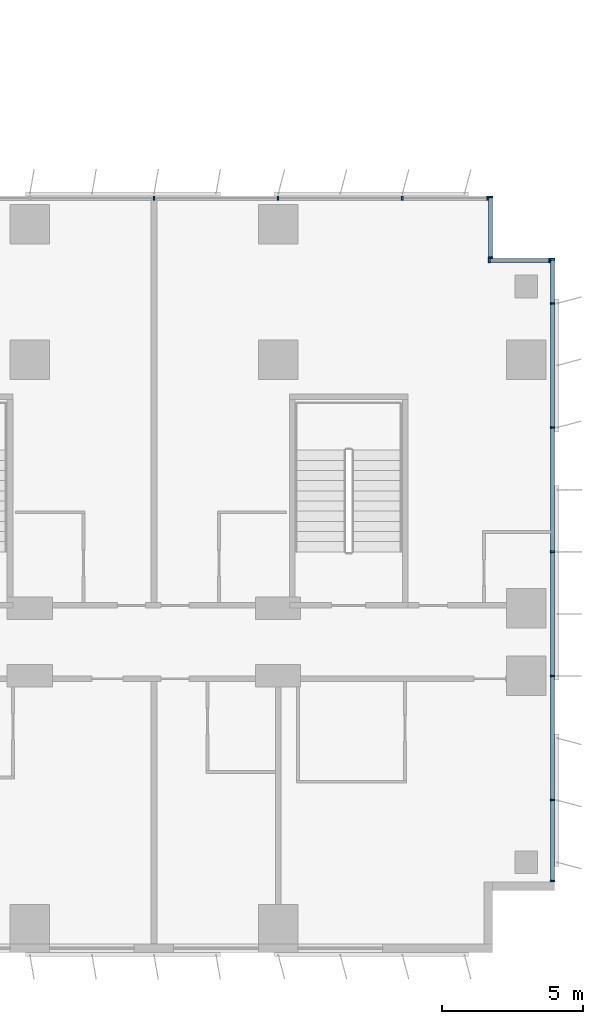
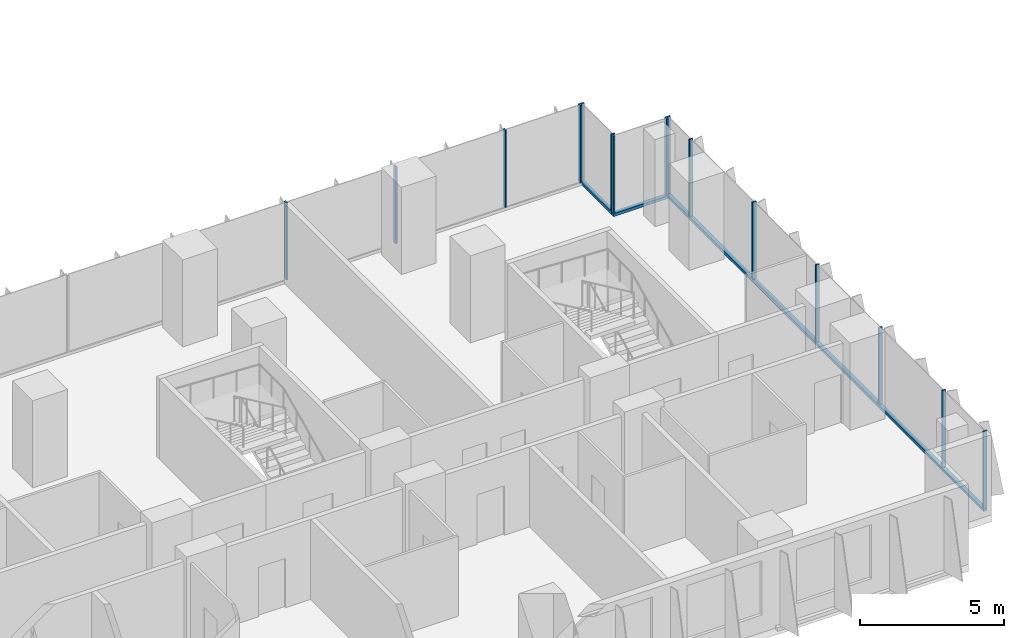
# One storey, part 8 of 24: 18 members, 4 elements without a shape of their own.
"""IFC4 building model written with IfcOpenShell, lengths in metres."""

from ifc_helpers import new_model, si_unit, direction, frame, origin, origin_2d, place, context, subcontext, project, spatial, rectangle, extrude, source, transform, mapped, material, material_profile, profile_set, type_object, element, aggregate, save


model = new_model("IFC4")

# Units and contexts
model_context = context("Model", 3, precision=1e-05, world=origin(), true_north=direction((0.0, 1.0)))
body_context = subcontext(model_context, "Body", "Model", "MODEL_VIEW")
ifc_project = project(units=[si_unit("LENGTHUNIT", "METRE"), si_unit("AREAUNIT", "SQUARE_METRE"), si_unit("VOLUMEUNIT", "CUBIC_METRE"), si_unit("PLANEANGLEUNIT", "RADIAN"), si_unit("MASSUNIT", "GRAM", prefix="KILO")], contexts=[model_context])

# Site, building, storey
site_placement = place(None, origin())
site = spatial("IfcSite", under=ifc_project, at=site_placement, CompositionType="ELEMENT")
building_placement = place(site_placement, origin())
building = spatial("IfcBuilding", under=site, at=building_placement, Name="Kemantara Hotel Tower", CompositionType="ELEMENT")
storey_placement = place(building_placement, frame((0.0, 0.0, 56.199951171875)))
storey = spatial("IfcBuildingStorey", under=building, at=storey_placement, Name="L12", CompositionType="ELEMENT", Elevation=56.199951171875)

# Curtain wall, member
ifc_material_1 = material(Name="Low-E tinted double insulated glass 36 mm", Category="glass")
curtain_wall_type = type_object("IfcCurtainWallType", Name="TOWER CURTAIN WALL, FRONT FACES", PredefinedType="USERDEFINED", material=ifc_material_1)
curtain_wall_1_placement = place(storey_placement, origin())
curtain_wall_1 = element("IfcCurtainWall", 1, at=curtain_wall_1_placement, inside=storey, type_object=curtain_wall_type, Name="CW4 L12 T1-R04-1", ObjectType="TOWER CURTAIN WALL, FRONT FACES", PredefinedType="USERDEFINED")
ifc_material_2 = material(Name="Aluminium 6063-T6 bronze anodised", Category="aluminium")
ifc_material_profile_1 = material_profile(ifc_material_2, rectangle(XDim=0.14990234375, YDim=0.1201171875, at=origin_2d()), Name="TOWER CURTAIN WALL, FRONT FACES TRANSOM")
ifc_profile_set_1 = profile_set([ifc_material_profile_1], Name="Aluminium 6063-T6 bronze anodised")
member_type_1 = type_object("IfcMemberType", Name="TOWER CURTAIN WALL, FRONT FACES TRANSOM", PredefinedType="USERDEFINED", material=ifc_profile_set_1)
member_1_placement = place(storey_placement, frame((81.125, 2.5, 0.06005859375), z_axis=(0.0, 1.0, 0.0), x_axis=(-1.0, 0.0, 0.0)))
member_1 = element("IfcMember", 2, at=member_1_placement, type_object=member_type_1, Name="CW4 sill transom T1-R04-1", ObjectType="TRANSOM", PredefinedType="USERDEFINED", context=body_context, shape_type="SweptSolid", body=[
    extrude(rectangle(XDim=0.14990234375, YDim=0.1201171875, at=origin_2d()), origin(), (0.0, 0.0, 1.0), 22.10009765625),
])

curtain_wall_2_placement = place(storey_placement, origin())
curtain_wall_2 = element("IfcCurtainWall", 3, at=curtain_wall_2_placement, inside=storey, type_object=curtain_wall_type, Name="CW4 L12 T1-R05-1", ObjectType="TOWER CURTAIN WALL, FRONT FACES", PredefinedType="USERDEFINED")
member_2_placement = place(storey_placement, frame((81.050048828125, 24.52490234375, 0.06005859375), z_axis=(-1.0, 0.0, 0.0), x_axis=(0.0, -1.0, 0.0)))
member_2 = element("IfcMember", 4, at=member_2_placement, type_object=member_type_1, Name="CW4 sill transom T1-R05-1", ObjectType="TRANSOM", PredefinedType="USERDEFINED", context=body_context, shape_type="SweptSolid", body=[
    extrude(rectangle(XDim=0.14990234375, YDim=0.1201171875, at=origin_2d()), origin(), (0.0, 0.0, 1.0), 2.199951171875),
])

curtain_wall_3_placement = place(storey_placement, origin())
curtain_wall_3 = element("IfcCurtainWall", 5, at=curtain_wall_3_placement, inside=storey, type_object=curtain_wall_type, Name="CW4 L12 T1-R06-1", ObjectType="TOWER CURTAIN WALL, FRONT FACES", PredefinedType="USERDEFINED")
member_3_placement = place(storey_placement, frame((78.925048828125, 24.60009765625, 0.06005859375), z_axis=(0.0, 1.0, 0.0), x_axis=(-1.0, 0.0, 0.0)))
member_3 = element("IfcMember", 6, at=member_3_placement, type_object=member_type_1, Name="CW4 sill transom T1-R06-1", ObjectType="TRANSOM", PredefinedType="USERDEFINED", context=body_context, shape_type="SweptSolid", body=[
    extrude(rectangle(XDim=0.14990234375, YDim=0.1201171875, at=origin_2d()), origin(), (0.0, 0.0, 1.0), 2.199951171875),
])

# Member
ifc_material_profile_2 = material_profile(ifc_material_2, rectangle(XDim=0.14990234375, YDim=0.06005859375, at=origin_2d()), Name="TOWER CURTAIN WALL, FRONT FACES MULLION")
ifc_profile_set_2 = profile_set([ifc_material_profile_2], Name="Aluminium 6063-T6 bronze anodised")
member_type_2 = type_object("IfcMemberType", Name="TOWER CURTAIN WALL, FRONT FACES MULLION", PredefinedType="MULLION", material=ifc_profile_set_2)
shared_shape = source(origin(), body_context, "Body", "SweptSolid", [
    extrude(rectangle(XDim=0.14990234375, YDim=0.06005859375, at=origin_2d()), origin(), (0.0, 0.0, 1.0), 3.280029296875),
])
member_4_placement = place(storey_placement, frame((81.125, 2.530029296875, 0.1201171875), z_axis=(0.0, 0.0, 1.0), x_axis=(-1.0, 0.0, 0.0)))
member_4 = element("IfcMember", 7, at=member_4_placement, type_object=member_type_2, Name="CW4 mullion T1-R04-1.1", PredefinedType="MULLION", context=body_context, shape_type="MappedRepresentation", body=[
    mapped(shared_shape, transform((0.0, 0.0, 0.0))),
])

member_5_placement = place(storey_placement, frame((81.125, 5.39990234375, 0.1201171875), z_axis=(0.0, 0.0, 1.0), x_axis=(-1.0, 0.0, 0.0)))
member_5 = element("IfcMember", 8, at=member_5_placement, type_object=member_type_2, Name="CW4 mullion T1-R04-1.2", PredefinedType="MULLION", context=body_context, shape_type="MappedRepresentation", body=[
    mapped(shared_shape, transform((0.0, 0.0, 0.0))),
])

member_6_placement = place(storey_placement, frame((81.125, 9.800048828125, 0.1201171875), z_axis=(0.0, 0.0, 1.0), x_axis=(-1.0, 0.0, 0.0)))
member_6 = element("IfcMember", 9, at=member_6_placement, type_object=member_type_2, Name="CW4 mullion T1-R04-1.3", PredefinedType="MULLION", context=body_context, shape_type="MappedRepresentation", body=[
    mapped(shared_shape, transform((0.0, 0.0, 0.0))),
])

member_7_placement = place(storey_placement, frame((81.125, 14.199951171875, 0.1201171875), z_axis=(0.0, 0.0, 1.0), x_axis=(-1.0, 0.0, 0.0)))
member_7 = element("IfcMember", 10, at=member_7_placement, type_object=member_type_2, Name="CW4 mullion T1-R04-1.4", PredefinedType="MULLION", context=body_context, shape_type="MappedRepresentation", body=[
    mapped(shared_shape, transform((0.0, 0.0, 0.0))),
])

member_8_placement = place(storey_placement, frame((81.125, 18.60009765625, 0.1201171875), z_axis=(0.0, 0.0, 1.0), x_axis=(-1.0, 0.0, 0.0)))
member_8 = element("IfcMember", 11, at=member_8_placement, type_object=member_type_2, Name="CW4 mullion T1-R04-1.5", PredefinedType="MULLION", context=body_context, shape_type="MappedRepresentation", body=[
    mapped(shared_shape, transform((0.0, 0.0, 0.0))),
])

member_9_placement = place(storey_placement, frame((81.125, 23.0, 0.1201171875), z_axis=(0.0, 0.0, 1.0), x_axis=(-1.0, 0.0, 0.0)))
member_9 = element("IfcMember", 12, at=member_9_placement, type_object=member_type_2, Name="CW4 mullion T1-R04-1.6", PredefinedType="MULLION", context=body_context, shape_type="MappedRepresentation", body=[
    mapped(shared_shape, transform((0.0, 0.0, 0.0))),
])

member_10_placement = place(storey_placement, frame((81.125, 24.570068359375, 0.1201171875), z_axis=(0.0, 0.0, 1.0), x_axis=(-1.0, 0.0, 0.0)))
member_10 = element("IfcMember", 13, at=member_10_placement, type_object=member_type_2, Name="CW4 mullion T1-R04-1.7", PredefinedType="MULLION", context=body_context, shape_type="MappedRepresentation", body=[
    mapped(shared_shape, transform((0.0, 0.0, 0.0))),
])

aggregate(curtain_wall_1, [member_1, member_4, member_5, member_6, member_7, member_8, member_9, member_10])

# Curtain wall, members
curtain_wall_4_placement = place(storey_placement, origin())
curtain_wall_4 = element("IfcCurtainWall", 14, at=curtain_wall_4_placement, inside=storey, type_object=curtain_wall_type, Name="CW4 L12 T1-R07-1", ObjectType="TOWER CURTAIN WALL, FRONT FACES", PredefinedType="USERDEFINED")
member_11_placement = place(storey_placement, frame((78.820068359375, 26.72509765625, 0.1201171875), z_axis=(0.0, 0.0, 1.0), x_axis=(0.0, -1.0, 0.0)))
member_11 = element("IfcMember", 15, at=member_11_placement, type_object=member_type_2, Name="CW4 mullion T1-R07-1.1", PredefinedType="MULLION", context=body_context, shape_type="MappedRepresentation", body=[
    mapped(shared_shape, transform((0.0, 0.0, 0.0))),
])
member_12_placement = place(storey_placement, frame((75.800048828125, 26.72509765625, 0.1201171875), z_axis=(0.0, 0.0, 1.0), x_axis=(0.0, -1.0, 0.0)))
member_12 = element("IfcMember", 16, at=member_12_placement, type_object=member_type_2, Name="CW4 mullion T1-R07-1.2", PredefinedType="MULLION", context=body_context, shape_type="MappedRepresentation", body=[
    mapped(shared_shape, transform((0.0, 0.0, 0.0))),
])
member_13_placement = place(storey_placement, frame((71.39990234375, 26.72509765625, 0.1201171875), z_axis=(0.0, 0.0, 1.0), x_axis=(0.0, -1.0, 0.0)))
member_13 = element("IfcMember", 17, at=member_13_placement, type_object=member_type_2, Name="CW4 mullion T1-R07-1.3", PredefinedType="MULLION", context=body_context, shape_type="MappedRepresentation", body=[
    mapped(shared_shape, transform((0.0, 0.0, 0.0))),
])
member_14_placement = place(storey_placement, frame((67.0, 26.72509765625, 0.1201171875), z_axis=(0.0, 0.0, 1.0), x_axis=(0.0, -1.0, 0.0)))
member_14 = element("IfcMember", 18, at=member_14_placement, type_object=member_type_2, Name="CW4 mullion T1-R07-1.4", PredefinedType="MULLION", context=body_context, shape_type="MappedRepresentation", body=[
    mapped(shared_shape, transform((0.0, 0.0, 0.0))),
])
aggregate(curtain_wall_4, [member_11, member_12, member_13, member_14])

# Member
member_15_placement = place(storey_placement, frame((81.02001953125, 24.52490234375, 0.1201171875), z_axis=(0.0, 0.0, 1.0), x_axis=(0.0, -1.0, 0.0)))
member_15 = element("IfcMember", 19, at=member_15_placement, type_object=member_type_2, Name="CW4 mullion T1-R05-1.1", PredefinedType="MULLION", context=body_context, shape_type="MappedRepresentation", body=[
    mapped(shared_shape, transform((0.0, 0.0, 0.0))),
])

member_16_placement = place(storey_placement, frame((78.8798828125, 24.52490234375, 0.1201171875), z_axis=(0.0, 0.0, 1.0), x_axis=(0.0, -1.0, 0.0)))
member_16 = element("IfcMember", 20, at=member_16_placement, type_object=member_type_2, Name="CW4 mullion T1-R05-1.2", PredefinedType="MULLION", context=body_context, shape_type="MappedRepresentation", body=[
    mapped(shared_shape, transform((0.0, 0.0, 0.0))),
])

aggregate(curtain_wall_2, [member_2, member_15, member_16])

member_17_placement = place(storey_placement, frame((78.925048828125, 24.6298828125, 0.1201171875), z_axis=(0.0, 0.0, 1.0), x_axis=(-1.0, 0.0, 0.0)))
member_17 = element("IfcMember", 21, at=member_17_placement, type_object=member_type_2, Name="CW4 mullion T1-R06-1.1", PredefinedType="MULLION", context=body_context, shape_type="MappedRepresentation", body=[
    mapped(shared_shape, transform((0.0, 0.0, 0.0))),
])

member_18_placement = place(storey_placement, frame((78.925048828125, 26.77001953125, 0.1201171875), z_axis=(0.0, 0.0, 1.0), x_axis=(-1.0, 0.0, 0.0)))
member_18 = element("IfcMember", 22, at=member_18_placement, type_object=member_type_2, Name="CW4 mullion T1-R06-1.2", PredefinedType="MULLION", context=body_context, shape_type="MappedRepresentation", body=[
    mapped(shared_shape, transform((0.0, 0.0, 0.0))),
])

aggregate(curtain_wall_3, [member_3, member_17, member_18])

save(model, "model.ifc")
